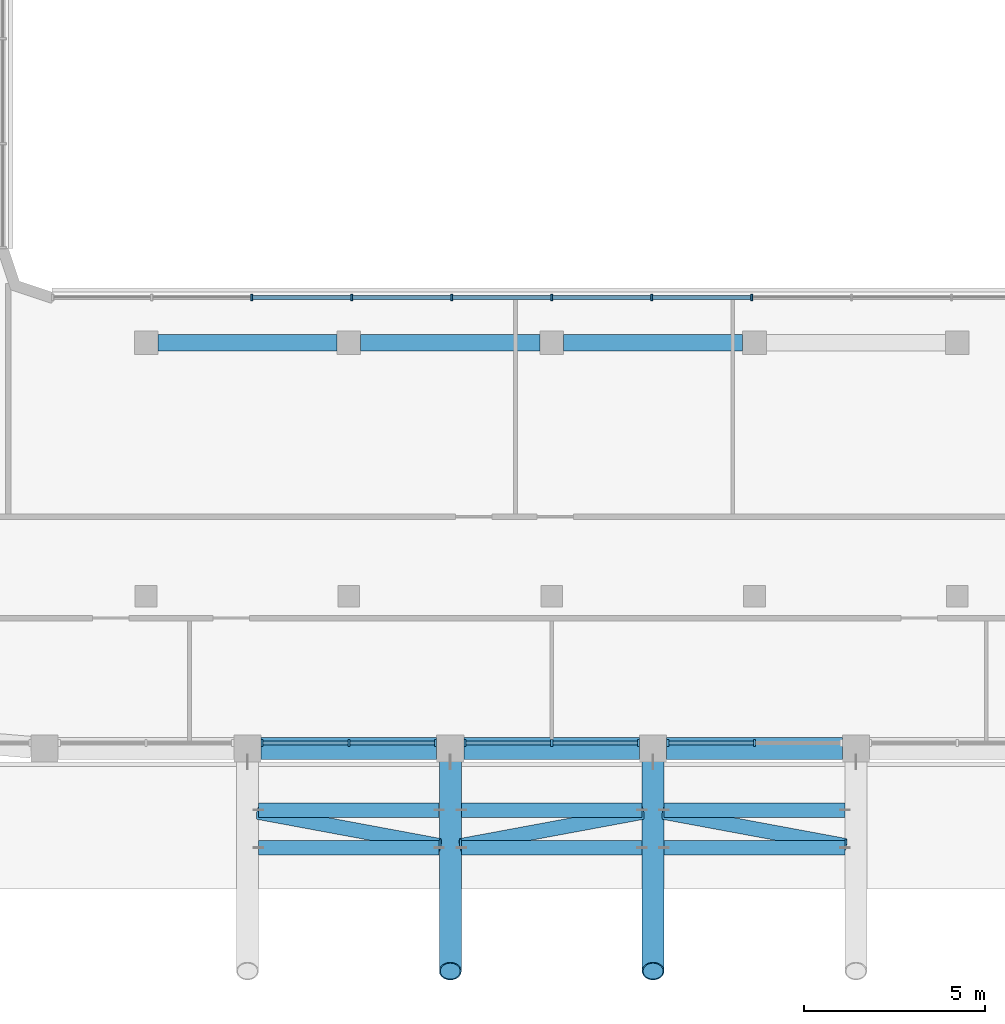
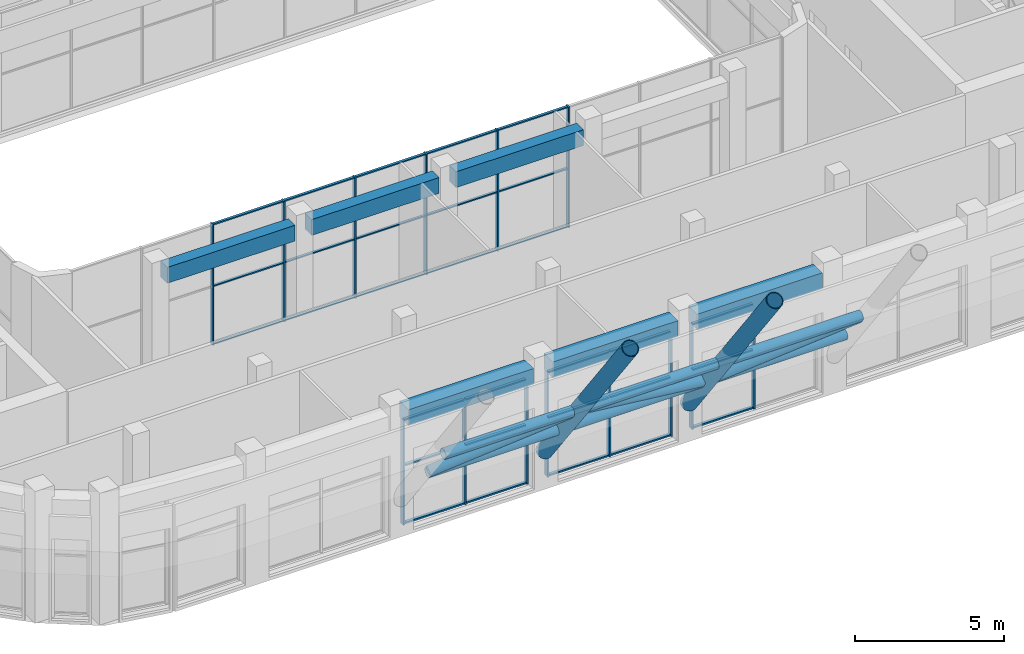
# One storey, part 3 of 24: 55 members, 6 beams, 4 elements without a shape of their own.
"""IFC4 building model written with IfcOpenShell, lengths in metres."""

from ifc_helpers import new_model, si_unit, direction, frame, origin, origin_2d, place, context, subcontext, project, spatial, rectangle, hollow_circle, extrude, material, layer, layer_set, material_profile, profile_set, type_object, element, aggregate, save


model = new_model("IFC4")

# Units and contexts
model_context = context("Model", 3, precision=1e-05, world=origin(), true_north=direction((0.0, 1.0)))
body_context = subcontext(model_context, "Body", "Model", "MODEL_VIEW")
ifc_project = project(units=[si_unit("LENGTHUNIT", "METRE"), si_unit("AREAUNIT", "SQUARE_METRE"), si_unit("VOLUMEUNIT", "CUBIC_METRE"), si_unit("PLANEANGLEUNIT", "RADIAN"), si_unit("MASSUNIT", "GRAM", prefix="KILO")], contexts=[model_context])

# Site, building, storey
site_placement = place(None, origin())
site = spatial("IfcSite", under=ifc_project, at=site_placement, CompositionType="ELEMENT")
building_placement = place(site_placement, origin())
building = spatial("IfcBuilding", under=site, at=building_placement, Name="Kiln Ring Residences", CompositionType="ELEMENT")
storey_placement = place(building_placement, frame((0.0, 0.0, 283.699951171875)))
storey = spatial("IfcBuildingStorey", under=building, at=storey_placement, Name="L74", CompositionType="ELEMENT", Elevation=283.699951171875)

# Curtain wall, members
ifc_material_1 = material(Name="Aluminium and glass", Category="aluminium")
ifc_layer_1 = layer(ifc_material_1, 0.199951171875)
ifc_layer_set_1 = layer_set([ifc_layer_1], Name="CW1 CURTAIN WALL")
curtain_wall_type_1 = type_object("IfcCurtainWallType", Name="CW1 CURTAIN WALL", PredefinedType="NOTDEFINED", material=ifc_layer_set_1)
placement = place(storey_placement, origin())
curtain_wall_1 = element("IfcCurtainWall", 1, at=placement, inside=storey, type_object=curtain_wall_type_1, Name="Curtain wall CW1 L74", PredefinedType="NOTDEFINED")
ifc_material_2 = material(Name="Aluminium 6063-T6", Category="aluminium")
ifc_material_profile_1 = material_profile(ifc_material_2, rectangle(XDim=0.199951171875, YDim=0.06005859375, at=origin_2d()), Name="AL 200x60")
ifc_profile_set_1 = profile_set([ifc_material_profile_1], Name="Aluminium 6063-T6")
member_type_1 = type_object("IfcMemberType", Name="CW1 MULLION 200 x 60", PredefinedType="MULLION", material=ifc_profile_set_1)
member_1_placement = place(storey_placement, frame((-7.9951171875, -19.449951171875, 0.0), z_axis=(0.0, 0.0, 1.0), x_axis=(0.0, 1.0, 0.0)))
member_1 = element("IfcMember", 2, at=member_1_placement, type_object=member_type_1, Name="CW1 mullion 1", PredefinedType="MULLION", context=body_context, shape_type="SweptSolid", body=[
    extrude(rectangle(XDim=0.199951171875, YDim=0.06005859375, at=origin_2d()), origin(), (0.0, 0.0, 1.0), 4.300048828125),
])
member_2_placement = place(storey_placement, frame((-5.60009765625, -19.449951171875, 0.0), z_axis=(0.0, 0.0, 1.0), x_axis=(0.0, 1.0, 0.0)))
member_2 = element("IfcMember", 3, at=member_2_placement, type_object=member_type_1, Name="CW1 mullion 2", PredefinedType="MULLION", context=body_context, shape_type="SweptSolid", body=[
    extrude(rectangle(XDim=0.199951171875, YDim=0.06005859375, at=origin_2d()), origin(), (0.0, 0.0, 1.0), 4.300048828125),
])
member_3_placement = place(storey_placement, frame((-3.205078125, -19.449951171875, 0.0), z_axis=(0.0, 0.0, 1.0), x_axis=(0.0, 1.0, 0.0)))
member_3 = element("IfcMember", 4, at=member_3_placement, type_object=member_type_1, Name="CW1 mullion 3", PredefinedType="MULLION", context=body_context, shape_type="SweptSolid", body=[
    extrude(rectangle(XDim=0.199951171875, YDim=0.06005859375, at=origin_2d()), origin(), (0.0, 0.0, 1.0), 4.300048828125),
])

curtain_wall_2 = element("IfcCurtainWall", 5, at=placement, inside=storey, type_object=curtain_wall_type_1, Name="Curtain wall CW1 L74", PredefinedType="NOTDEFINED")
member_4_placement = place(storey_placement, frame((-2.39501953125, -19.449951171875, 0.0), z_axis=(0.0, 0.0, 1.0), x_axis=(0.0, 1.0, 0.0)))
member_4 = element("IfcMember", 6, at=member_4_placement, type_object=member_type_1, Name="CW1 mullion 1", PredefinedType="MULLION", context=body_context, shape_type="SweptSolid", body=[
    extrude(rectangle(XDim=0.199951171875, YDim=0.06005859375, at=origin_2d()), origin(), (0.0, 0.0, 1.0), 4.300048828125),
])
member_5_placement = place(storey_placement, frame((0.0, -19.449951171875, 0.0), z_axis=(0.0, 0.0, 1.0), x_axis=(0.0, 1.0, 0.0)))
member_5 = element("IfcMember", 7, at=member_5_placement, type_object=member_type_1, Name="CW1 mullion 2", PredefinedType="MULLION", context=body_context, shape_type="SweptSolid", body=[
    extrude(rectangle(XDim=0.199951171875, YDim=0.06005859375, at=origin_2d()), origin(), (0.0, 0.0, 1.0), 4.300048828125),
])
member_6_placement = place(storey_placement, frame((2.39501953125, -19.449951171875, 0.0), z_axis=(0.0, 0.0, 1.0), x_axis=(0.0, 1.0, 0.0)))
member_6 = element("IfcMember", 8, at=member_6_placement, type_object=member_type_1, Name="CW1 mullion 3", PredefinedType="MULLION", context=body_context, shape_type="SweptSolid", body=[
    extrude(rectangle(XDim=0.199951171875, YDim=0.06005859375, at=origin_2d()), origin(), (0.0, 0.0, 1.0), 4.300048828125),
])

curtain_wall_3 = element("IfcCurtainWall", 9, at=placement, inside=storey, type_object=curtain_wall_type_1, Name="Curtain wall CW1 L74", PredefinedType="NOTDEFINED")
member_7_placement = place(storey_placement, frame((3.205078125, -19.449951171875, 0.0), z_axis=(0.0, 0.0, 1.0), x_axis=(0.0, 1.0, 0.0)))
member_7 = element("IfcMember", 10, at=member_7_placement, type_object=member_type_1, Name="CW1 mullion 1", PredefinedType="MULLION", context=body_context, shape_type="SweptSolid", body=[
    extrude(rectangle(XDim=0.199951171875, YDim=0.06005859375, at=origin_2d()), origin(), (0.0, 0.0, 1.0), 4.300048828125),
])
member_8_placement = place(storey_placement, frame((5.60009765625, -19.449951171875, 0.0), z_axis=(0.0, 0.0, 1.0), x_axis=(0.0, 1.0, 0.0)))
member_8 = element("IfcMember", 11, at=member_8_placement, type_object=member_type_1, Name="CW1 mullion 2", PredefinedType="MULLION", context=body_context, shape_type="SweptSolid", body=[
    extrude(rectangle(XDim=0.199951171875, YDim=0.06005859375, at=origin_2d()), origin(), (0.0, 0.0, 1.0), 4.300048828125),
])

# Member
ifc_material_3 = material(Name="Aluminium 6063-T6", Category="aluminium")
ifc_material_profile_2 = material_profile(ifc_material_3, rectangle(XDim=0.1201171875, YDim=0.06005859375, at=origin_2d()), Name="AL 120x60")
ifc_profile_set_2 = profile_set([ifc_material_profile_2], Name="Aluminium 6063-T6")
member_type_2 = type_object("IfcMemberType", Name="CW1 TRANSOM 120 x 60", PredefinedType="USERDEFINED", material=ifc_profile_set_2)
member_9_placement = place(storey_placement, frame((-7.965087890625, -19.449951171875, 0.030029296875), z_axis=(1.0, 0.0, 0.0), x_axis=(0.0, 1.0, 0.0)))
member_9 = element("IfcMember", 12, at=member_9_placement, type_object=member_type_2, Name="CW1 transom 1.1", ObjectType="TRANSOM", PredefinedType="USERDEFINED", context=body_context, shape_type="SweptSolid", body=[
    extrude(rectangle(XDim=0.1201171875, YDim=0.06005859375, at=origin_2d()), origin(), (0.0, 0.0, 1.0), 2.335205078125),
])

member_10_placement = place(storey_placement, frame((-7.965087890625, -19.449951171875, 2.400146484375), z_axis=(1.0, 0.0, 0.0), x_axis=(0.0, 1.0, 0.0)))
member_10 = element("IfcMember", 13, at=member_10_placement, type_object=member_type_2, Name="CW1 transom 1.2", ObjectType="TRANSOM", PredefinedType="USERDEFINED", context=body_context, shape_type="SweptSolid", body=[
    extrude(rectangle(XDim=0.1201171875, YDim=0.06005859375, at=origin_2d()), origin(), (0.0, 0.0, 1.0), 2.335205078125),
])

member_11_placement = place(storey_placement, frame((-7.965087890625, -19.449951171875, 4.27001953125), z_axis=(1.0, 0.0, 0.0), x_axis=(0.0, 1.0, 0.0)))
member_11 = element("IfcMember", 14, at=member_11_placement, type_object=member_type_2, Name="CW1 transom 1.3", ObjectType="TRANSOM", PredefinedType="USERDEFINED", context=body_context, shape_type="SweptSolid", body=[
    extrude(rectangle(XDim=0.1201171875, YDim=0.06005859375, at=origin_2d()), origin(), (0.0, 0.0, 1.0), 2.335205078125),
])

member_12_placement = place(storey_placement, frame((-5.570068359375, -19.449951171875, 0.030029296875), z_axis=(1.0, 0.0, 0.0), x_axis=(0.0, 1.0, 0.0)))
member_12 = element("IfcMember", 15, at=member_12_placement, type_object=member_type_2, Name="CW1 transom 2.1", ObjectType="TRANSOM", PredefinedType="USERDEFINED", context=body_context, shape_type="SweptSolid", body=[
    extrude(rectangle(XDim=0.1201171875, YDim=0.06005859375, at=origin_2d()), origin(), (0.0, 0.0, 1.0), 2.3349609375),
])

member_13_placement = place(storey_placement, frame((-5.570068359375, -19.449951171875, 2.400146484375), z_axis=(1.0, 0.0, 0.0), x_axis=(0.0, 1.0, 0.0)))
member_13 = element("IfcMember", 16, at=member_13_placement, type_object=member_type_2, Name="CW1 transom 2.2", ObjectType="TRANSOM", PredefinedType="USERDEFINED", context=body_context, shape_type="SweptSolid", body=[
    extrude(rectangle(XDim=0.1201171875, YDim=0.06005859375, at=origin_2d()), origin(), (0.0, 0.0, 1.0), 2.3349609375),
])

member_14_placement = place(storey_placement, frame((-5.570068359375, -19.449951171875, 4.27001953125), z_axis=(1.0, 0.0, 0.0), x_axis=(0.0, 1.0, 0.0)))
member_14 = element("IfcMember", 17, at=member_14_placement, type_object=member_type_2, Name="CW1 transom 2.3", ObjectType="TRANSOM", PredefinedType="USERDEFINED", context=body_context, shape_type="SweptSolid", body=[
    extrude(rectangle(XDim=0.1201171875, YDim=0.06005859375, at=origin_2d()), origin(), (0.0, 0.0, 1.0), 2.3349609375),
])

aggregate(curtain_wall_1, [member_1, member_2, member_3, member_9, member_10, member_11, member_12, member_13, member_14])

member_15_placement = place(storey_placement, frame((-2.364990234375, -19.449951171875, 0.030029296875), z_axis=(1.0, 0.0, 0.0), x_axis=(0.0, 1.0, 0.0)))
member_15 = element("IfcMember", 18, at=member_15_placement, type_object=member_type_2, Name="CW1 transom 1.1", ObjectType="TRANSOM", PredefinedType="USERDEFINED", context=body_context, shape_type="SweptSolid", body=[
    extrude(rectangle(XDim=0.1201171875, YDim=0.06005859375, at=origin_2d()), origin(), (0.0, 0.0, 1.0), 2.3349609375),
])

member_16_placement = place(storey_placement, frame((-2.364990234375, -19.449951171875, 2.400146484375), z_axis=(1.0, 0.0, 0.0), x_axis=(0.0, 1.0, 0.0)))
member_16 = element("IfcMember", 19, at=member_16_placement, type_object=member_type_2, Name="CW1 transom 1.2", ObjectType="TRANSOM", PredefinedType="USERDEFINED", context=body_context, shape_type="SweptSolid", body=[
    extrude(rectangle(XDim=0.1201171875, YDim=0.06005859375, at=origin_2d()), origin(), (0.0, 0.0, 1.0), 2.3349609375),
])

member_17_placement = place(storey_placement, frame((-2.364990234375, -19.449951171875, 4.27001953125), z_axis=(1.0, 0.0, 0.0), x_axis=(0.0, 1.0, 0.0)))
member_17 = element("IfcMember", 20, at=member_17_placement, type_object=member_type_2, Name="CW1 transom 1.3", ObjectType="TRANSOM", PredefinedType="USERDEFINED", context=body_context, shape_type="SweptSolid", body=[
    extrude(rectangle(XDim=0.1201171875, YDim=0.06005859375, at=origin_2d()), origin(), (0.0, 0.0, 1.0), 2.3349609375),
])

member_18_placement = place(storey_placement, frame((0.030029296875, -19.449951171875, 0.030029296875), z_axis=(1.0, 0.0, 0.0), x_axis=(0.0, 1.0, 0.0)))
member_18 = element("IfcMember", 21, at=member_18_placement, type_object=member_type_2, Name="CW1 transom 2.1", ObjectType="TRANSOM", PredefinedType="USERDEFINED", context=body_context, shape_type="SweptSolid", body=[
    extrude(rectangle(XDim=0.1201171875, YDim=0.06005859375, at=origin_2d()), origin(), (0.0, 0.0, 1.0), 2.3349609375),
])

member_19_placement = place(storey_placement, frame((0.030029296875, -19.449951171875, 2.400146484375), z_axis=(1.0, 0.0, 0.0), x_axis=(0.0, 1.0, 0.0)))
member_19 = element("IfcMember", 22, at=member_19_placement, type_object=member_type_2, Name="CW1 transom 2.2", ObjectType="TRANSOM", PredefinedType="USERDEFINED", context=body_context, shape_type="SweptSolid", body=[
    extrude(rectangle(XDim=0.1201171875, YDim=0.06005859375, at=origin_2d()), origin(), (0.0, 0.0, 1.0), 2.3349609375),
])

member_20_placement = place(storey_placement, frame((0.030029296875, -19.449951171875, 4.27001953125), z_axis=(1.0, 0.0, 0.0), x_axis=(0.0, 1.0, 0.0)))
member_20 = element("IfcMember", 23, at=member_20_placement, type_object=member_type_2, Name="CW1 transom 2.3", ObjectType="TRANSOM", PredefinedType="USERDEFINED", context=body_context, shape_type="SweptSolid", body=[
    extrude(rectangle(XDim=0.1201171875, YDim=0.06005859375, at=origin_2d()), origin(), (0.0, 0.0, 1.0), 2.3349609375),
])

aggregate(curtain_wall_2, [member_4, member_5, member_6, member_15, member_16, member_17, member_18, member_19, member_20])

member_21_placement = place(storey_placement, frame((3.235107421875, -19.449951171875, 0.030029296875), z_axis=(1.0, 0.0, 0.0), x_axis=(0.0, 1.0, 0.0)))
member_21 = element("IfcMember", 24, at=member_21_placement, type_object=member_type_2, Name="CW1 transom 1.1", ObjectType="TRANSOM", PredefinedType="USERDEFINED", context=body_context, shape_type="SweptSolid", body=[
    extrude(rectangle(XDim=0.1201171875, YDim=0.06005859375, at=origin_2d()), origin(), (0.0, 0.0, 1.0), 2.3349609375),
])

member_22_placement = place(storey_placement, frame((3.235107421875, -19.449951171875, 2.400146484375), z_axis=(1.0, 0.0, 0.0), x_axis=(0.0, 1.0, 0.0)))
member_22 = element("IfcMember", 25, at=member_22_placement, type_object=member_type_2, Name="CW1 transom 1.2", ObjectType="TRANSOM", PredefinedType="USERDEFINED", context=body_context, shape_type="SweptSolid", body=[
    extrude(rectangle(XDim=0.1201171875, YDim=0.06005859375, at=origin_2d()), origin(), (0.0, 0.0, 1.0), 2.3349609375),
])

member_23_placement = place(storey_placement, frame((3.235107421875, -19.449951171875, 4.27001953125), z_axis=(1.0, 0.0, 0.0), x_axis=(0.0, 1.0, 0.0)))
member_23 = element("IfcMember", 26, at=member_23_placement, type_object=member_type_2, Name="CW1 transom 1.3", ObjectType="TRANSOM", PredefinedType="USERDEFINED", context=body_context, shape_type="SweptSolid", body=[
    extrude(rectangle(XDim=0.1201171875, YDim=0.06005859375, at=origin_2d()), origin(), (0.0, 0.0, 1.0), 2.3349609375),
])

aggregate(curtain_wall_3, [member_7, member_8, member_21, member_22, member_23])

# Curtain wall, members
ifc_material_4 = material(Name="Aluminium and glass", Category="aluminium")
ifc_layer_2 = layer(ifc_material_4, 0.179931640625)
ifc_layer_set_2 = layer_set([ifc_layer_2], Name="CW3 CURTAIN WALL")
curtain_wall_type_2 = type_object("IfcCurtainWallType", Name="CW3 CURTAIN WALL", PredefinedType="NOTDEFINED", material=ifc_layer_set_2)
curtain_wall_4 = element("IfcCurtainWall", 27, at=placement, inside=storey, type_object=curtain_wall_type_2, Name="Curtain wall CW3 L74", PredefinedType="NOTDEFINED")
ifc_material_5 = material(Name="Aluminium 6063-T6", Category="aluminium")
ifc_material_profile_3 = material_profile(ifc_material_5, rectangle(XDim=0.179931640625, YDim=0.050048828125, at=origin_2d()), Name="AL 180x50")
ifc_profile_set_3 = profile_set([ifc_material_profile_3], Name="Aluminium 6063-T6")
member_type_3 = type_object("IfcMemberType", Name="CW3 MULLION 180 x 50", PredefinedType="MULLION", material=ifc_profile_set_3)
member_24_placement = place(storey_placement, frame((5.52001953125, -7.14990234375, 0.0), z_axis=(0.0, 0.0, 1.0), x_axis=(0.0, -1.0, 0.0)))
member_24 = element("IfcMember", 28, at=member_24_placement, type_object=member_type_3, Name="CW3 mullion 4", PredefinedType="MULLION", context=body_context, shape_type="SweptSolid", body=[
    extrude(rectangle(XDim=0.179931640625, YDim=0.050048828125, at=origin_2d()), origin(), (0.0, 0.0, 1.0), 4.949951171875),
])
member_25_placement = place(storey_placement, frame((2.760009765625, -7.14990234375, 0.0), z_axis=(0.0, 0.0, 1.0), x_axis=(0.0, -1.0, 0.0)))
member_25 = element("IfcMember", 29, at=member_25_placement, type_object=member_type_3, Name="CW3 mullion 5", PredefinedType="MULLION", context=body_context, shape_type="SweptSolid", body=[
    extrude(rectangle(XDim=0.179931640625, YDim=0.050048828125, at=origin_2d()), origin(), (0.0, 0.0, 1.0), 4.949951171875),
])
member_26_placement = place(storey_placement, frame((0.0, -7.14990234375, 0.0), z_axis=(0.0, 0.0, 1.0), x_axis=(0.0, -1.0, 0.0)))
member_26 = element("IfcMember", 30, at=member_26_placement, type_object=member_type_3, Name="CW3 mullion 6", PredefinedType="MULLION", context=body_context, shape_type="SweptSolid", body=[
    extrude(rectangle(XDim=0.179931640625, YDim=0.050048828125, at=origin_2d()), origin(), (0.0, 0.0, 1.0), 4.949951171875),
])
member_27_placement = place(storey_placement, frame((-2.760009765625, -7.14990234375, 0.0), z_axis=(0.0, 0.0, 1.0), x_axis=(0.0, -1.0, 0.0)))
member_27 = element("IfcMember", 31, at=member_27_placement, type_object=member_type_3, Name="CW3 mullion 7", PredefinedType="MULLION", context=body_context, shape_type="SweptSolid", body=[
    extrude(rectangle(XDim=0.179931640625, YDim=0.050048828125, at=origin_2d()), origin(), (0.0, 0.0, 1.0), 4.949951171875),
])
member_28_placement = place(storey_placement, frame((-5.52001953125, -7.14990234375, 0.0), z_axis=(0.0, 0.0, 1.0), x_axis=(0.0, -1.0, 0.0)))
member_28 = element("IfcMember", 32, at=member_28_placement, type_object=member_type_3, Name="CW3 mullion 8", PredefinedType="MULLION", context=body_context, shape_type="SweptSolid", body=[
    extrude(rectangle(XDim=0.179931640625, YDim=0.050048828125, at=origin_2d()), origin(), (0.0, 0.0, 1.0), 4.949951171875),
])
member_29_placement = place(storey_placement, frame((-8.280029296875, -7.14990234375, 0.0), z_axis=(0.0, 0.0, 1.0), x_axis=(0.0, -1.0, 0.0)))
member_29 = element("IfcMember", 33, at=member_29_placement, type_object=member_type_3, Name="CW3 mullion 9", PredefinedType="MULLION", context=body_context, shape_type="SweptSolid", body=[
    extrude(rectangle(XDim=0.179931640625, YDim=0.050048828125, at=origin_2d()), origin(), (0.0, 0.0, 1.0), 4.949951171875),
])
ifc_material_6 = material(Name="Aluminium 6063-T6", Category="aluminium")
ifc_material_profile_4 = material_profile(ifc_material_6, rectangle(XDim=0.10009765625, YDim=0.050048828125, at=origin_2d()), Name="AL 100x50")
ifc_profile_set_4 = profile_set([ifc_material_profile_4], Name="Aluminium 6063-T6")
member_type_4 = type_object("IfcMemberType", Name="CW3 TRANSOM 100 x 50", PredefinedType="USERDEFINED", material=ifc_profile_set_4)
member_30_placement = place(storey_placement, frame((5.4951171875, -7.14990234375, 0.025146484375), z_axis=(-1.0, 0.0, 0.0), x_axis=(0.0, -1.0, 0.0)))
member_30 = element("IfcMember", 34, at=member_30_placement, type_object=member_type_4, Name="CW3 transom 4.1", ObjectType="TRANSOM", PredefinedType="USERDEFINED", context=body_context, shape_type="SweptSolid", body=[
    extrude(rectangle(XDim=0.10009765625, YDim=0.050048828125, at=origin_2d()), origin(), (0.0, 0.0, 1.0), 2.710205078125),
])
member_31_placement = place(storey_placement, frame((5.4951171875, -7.14990234375, 2.400146484375), z_axis=(-1.0, 0.0, 0.0), x_axis=(0.0, -1.0, 0.0)))
member_31 = element("IfcMember", 35, at=member_31_placement, type_object=member_type_4, Name="CW3 transom 4.2", ObjectType="TRANSOM", PredefinedType="USERDEFINED", context=body_context, shape_type="SweptSolid", body=[
    extrude(rectangle(XDim=0.10009765625, YDim=0.050048828125, at=origin_2d()), origin(), (0.0, 0.0, 1.0), 2.710205078125),
])
member_32_placement = place(storey_placement, frame((5.4951171875, -7.14990234375, 4.925048828125), z_axis=(-1.0, 0.0, 0.0), x_axis=(0.0, -1.0, 0.0)))
member_32 = element("IfcMember", 36, at=member_32_placement, type_object=member_type_4, Name="CW3 transom 4.3", ObjectType="TRANSOM", PredefinedType="USERDEFINED", context=body_context, shape_type="SweptSolid", body=[
    extrude(rectangle(XDim=0.10009765625, YDim=0.050048828125, at=origin_2d()), origin(), (0.0, 0.0, 1.0), 2.710205078125),
])
member_33_placement = place(storey_placement, frame((2.735107421875, -7.14990234375, 0.025146484375), z_axis=(-1.0, 0.0, 0.0), x_axis=(0.0, -1.0, 0.0)))
member_33 = element("IfcMember", 37, at=member_33_placement, type_object=member_type_4, Name="CW3 transom 5.1", ObjectType="TRANSOM", PredefinedType="USERDEFINED", context=body_context, shape_type="SweptSolid", body=[
    extrude(rectangle(XDim=0.10009765625, YDim=0.050048828125, at=origin_2d()), origin(), (0.0, 0.0, 1.0), 2.710205078125),
])
member_34_placement = place(storey_placement, frame((2.735107421875, -7.14990234375, 2.400146484375), z_axis=(-1.0, 0.0, 0.0), x_axis=(0.0, -1.0, 0.0)))
member_34 = element("IfcMember", 38, at=member_34_placement, type_object=member_type_4, Name="CW3 transom 5.2", ObjectType="TRANSOM", PredefinedType="USERDEFINED", context=body_context, shape_type="SweptSolid", body=[
    extrude(rectangle(XDim=0.10009765625, YDim=0.050048828125, at=origin_2d()), origin(), (0.0, 0.0, 1.0), 2.710205078125),
])
member_35_placement = place(storey_placement, frame((2.735107421875, -7.14990234375, 4.925048828125), z_axis=(-1.0, 0.0, 0.0), x_axis=(0.0, -1.0, 0.0)))
member_35 = element("IfcMember", 39, at=member_35_placement, type_object=member_type_4, Name="CW3 transom 5.3", ObjectType="TRANSOM", PredefinedType="USERDEFINED", context=body_context, shape_type="SweptSolid", body=[
    extrude(rectangle(XDim=0.10009765625, YDim=0.050048828125, at=origin_2d()), origin(), (0.0, 0.0, 1.0), 2.710205078125),
])
member_36_placement = place(storey_placement, frame((-0.02490234375, -7.14990234375, 0.025146484375), z_axis=(-1.0, 0.0, 0.0), x_axis=(0.0, -1.0, 0.0)))
member_36 = element("IfcMember", 40, at=member_36_placement, type_object=member_type_4, Name="CW3 transom 6.1", ObjectType="TRANSOM", PredefinedType="USERDEFINED", context=body_context, shape_type="SweptSolid", body=[
    extrude(rectangle(XDim=0.10009765625, YDim=0.050048828125, at=origin_2d()), origin(), (0.0, 0.0, 1.0), 2.710205078125),
])
member_37_placement = place(storey_placement, frame((-0.02490234375, -7.14990234375, 2.400146484375), z_axis=(-1.0, 0.0, 0.0), x_axis=(0.0, -1.0, 0.0)))
member_37 = element("IfcMember", 41, at=member_37_placement, type_object=member_type_4, Name="CW3 transom 6.2", ObjectType="TRANSOM", PredefinedType="USERDEFINED", context=body_context, shape_type="SweptSolid", body=[
    extrude(rectangle(XDim=0.10009765625, YDim=0.050048828125, at=origin_2d()), origin(), (0.0, 0.0, 1.0), 2.710205078125),
])
member_38_placement = place(storey_placement, frame((-0.02490234375, -7.14990234375, 4.925048828125), z_axis=(-1.0, 0.0, 0.0), x_axis=(0.0, -1.0, 0.0)))
member_38 = element("IfcMember", 42, at=member_38_placement, type_object=member_type_4, Name="CW3 transom 6.3", ObjectType="TRANSOM", PredefinedType="USERDEFINED", context=body_context, shape_type="SweptSolid", body=[
    extrude(rectangle(XDim=0.10009765625, YDim=0.050048828125, at=origin_2d()), origin(), (0.0, 0.0, 1.0), 2.710205078125),
])
member_39_placement = place(storey_placement, frame((-2.784912109375, -7.14990234375, 0.025146484375), z_axis=(-1.0, 0.0, 0.0), x_axis=(0.0, -1.0, 0.0)))
member_39 = element("IfcMember", 43, at=member_39_placement, type_object=member_type_4, Name="CW3 transom 7.1", ObjectType="TRANSOM", PredefinedType="USERDEFINED", context=body_context, shape_type="SweptSolid", body=[
    extrude(rectangle(XDim=0.10009765625, YDim=0.050048828125, at=origin_2d()), origin(), (0.0, 0.0, 1.0), 2.710205078125),
])
member_40_placement = place(storey_placement, frame((-2.784912109375, -7.14990234375, 2.400146484375), z_axis=(-1.0, 0.0, 0.0), x_axis=(0.0, -1.0, 0.0)))
member_40 = element("IfcMember", 44, at=member_40_placement, type_object=member_type_4, Name="CW3 transom 7.2", ObjectType="TRANSOM", PredefinedType="USERDEFINED", context=body_context, shape_type="SweptSolid", body=[
    extrude(rectangle(XDim=0.10009765625, YDim=0.050048828125, at=origin_2d()), origin(), (0.0, 0.0, 1.0), 2.710205078125),
])
member_41_placement = place(storey_placement, frame((-2.784912109375, -7.14990234375, 4.925048828125), z_axis=(-1.0, 0.0, 0.0), x_axis=(0.0, -1.0, 0.0)))
member_41 = element("IfcMember", 45, at=member_41_placement, type_object=member_type_4, Name="CW3 transom 7.3", ObjectType="TRANSOM", PredefinedType="USERDEFINED", context=body_context, shape_type="SweptSolid", body=[
    extrude(rectangle(XDim=0.10009765625, YDim=0.050048828125, at=origin_2d()), origin(), (0.0, 0.0, 1.0), 2.710205078125),
])
member_42_placement = place(storey_placement, frame((-5.544921875, -7.14990234375, 0.025146484375), z_axis=(-1.0, 0.0, 0.0), x_axis=(0.0, -1.0, 0.0)))
member_42 = element("IfcMember", 46, at=member_42_placement, type_object=member_type_4, Name="CW3 transom 8.1", ObjectType="TRANSOM", PredefinedType="USERDEFINED", context=body_context, shape_type="SweptSolid", body=[
    extrude(rectangle(XDim=0.10009765625, YDim=0.050048828125, at=origin_2d()), origin(), (0.0, 0.0, 1.0), 2.7099609375),
])
member_43_placement = place(storey_placement, frame((-5.544921875, -7.14990234375, 2.400146484375), z_axis=(-1.0, 0.0, 0.0), x_axis=(0.0, -1.0, 0.0)))
member_43 = element("IfcMember", 47, at=member_43_placement, type_object=member_type_4, Name="CW3 transom 8.2", ObjectType="TRANSOM", PredefinedType="USERDEFINED", context=body_context, shape_type="SweptSolid", body=[
    extrude(rectangle(XDim=0.10009765625, YDim=0.050048828125, at=origin_2d()), origin(), (0.0, 0.0, 1.0), 2.7099609375),
])
member_44_placement = place(storey_placement, frame((-5.544921875, -7.14990234375, 4.925048828125), z_axis=(-1.0, 0.0, 0.0), x_axis=(0.0, -1.0, 0.0)))
member_44 = element("IfcMember", 48, at=member_44_placement, type_object=member_type_4, Name="CW3 transom 8.3", ObjectType="TRANSOM", PredefinedType="USERDEFINED", context=body_context, shape_type="SweptSolid", body=[
    extrude(rectangle(XDim=0.10009765625, YDim=0.050048828125, at=origin_2d()), origin(), (0.0, 0.0, 1.0), 2.7099609375),
])
aggregate(curtain_wall_4, [member_24, member_25, member_26, member_27, member_28, member_29, member_30, member_31, member_32, member_33, member_34, member_35, member_36, member_37, member_38, member_39, member_40, member_41, member_42, member_43, member_44])

# Members
ifc_material_7 = material(Name="Steel S460", Category="steel")
ifc_material_profile_5 = material_profile(ifc_material_7, hollow_circle(Radius=0.203125, WallThickness=0.01611328125, at=origin_2d()), Name="CHS406.4x16")
ifc_profile_set_5 = profile_set([ifc_material_profile_5], Name="Steel S460")
member_type_5 = type_object("IfcMemberType", Name="Pool brace tie CHS406.4x16 S460", PredefinedType="BRACE", material=ifc_profile_set_5)
for number, where, z_axis, x_axis, name in (
    (49, (-8.094970703125, -21.30322265625, 3.27099609375), (1.0, 0.0, 0.0), (0.0, 1.0, 0.0), "Pool brace tie L74 1"),
    (50, (-8.094970703125, -22.3427734375, 4.656982421875), (1.0, 0.0, 0.0), (0.0, 1.0, 0.0), "Pool brace tie L74 2"),
):
    element("IfcMember", number, at=place(storey_placement, frame(where, z_axis=z_axis, x_axis=x_axis)), inside=storey, type_object=member_type_5, Name=name, PredefinedType="BRACE", context=body_context, shape_type="SweptSolid", body=[
        extrude(hollow_circle(Radius=0.203125, WallThickness=0.01611328125, at=origin_2d()), origin(), (0.0, 0.0, 1.0), 4.989990234375),
    ])
member_45_placement = place(storey_placement, frame((-8.094970703125, -21.35986328125, 3.346435546875), z_axis=(0.95532228416, -0.177332195611, 0.236458507538), x_axis=(0.182507827912, 0.983204400291, 0.0)))
element("IfcMember", 51, at=member_45_placement, inside=storey, type_object=member_type_5, Name="Pool brace tie L74 3", PredefinedType="BRACE", context=body_context, shape_type="SweptSolid", body=[
    extrude(hollow_circle(Radius=0.203125, WallThickness=0.01611328125, at=origin_2d()), origin(), (0.0, 0.0, 1.0), 5.223388671875),
])
for number, where, z_axis, x_axis, name in (
    (52, (-2.4951171875, -21.30322265625, 3.27099609375), (1.0, 0.0, 0.0), (0.0, 1.0, 0.0), "Pool brace tie L74 4"),
    (53, (-2.4951171875, -22.3427734375, 4.656982421875), (1.0, 0.0, 0.0), (0.0, 1.0, 0.0), "Pool brace tie L74 5"),
):
    element("IfcMember", number, at=place(storey_placement, frame(where, z_axis=z_axis, x_axis=x_axis)), inside=storey, type_object=member_type_5, Name=name, PredefinedType="BRACE", context=body_context, shape_type="SweptSolid", body=[
        extrude(hollow_circle(Radius=0.203125, WallThickness=0.01611328125, at=origin_2d()), origin(), (0.0, 0.0, 1.0), 4.990234375),
    ])
member_46_placement = place(storey_placement, frame((-2.4951171875, -22.2861328125, 4.58154296875), z_axis=(0.955326367076, 0.177324277724, -0.236447949659), x_axis=(-0.182499196352, 0.983206002489, 0.0)))
element("IfcMember", 54, at=member_46_placement, inside=storey, type_object=member_type_5, Name="Pool brace tie L74 6", PredefinedType="BRACE", context=body_context, shape_type="SweptSolid", body=[
    extrude(hollow_circle(Radius=0.203125, WallThickness=0.01611328125, at=origin_2d()), origin(), (0.0, 0.0, 1.0), 5.2236328125),
])
for number, where, z_axis, x_axis, name in (
    (55, (3.10498046875, -21.30322265625, 3.27099609375), (1.0, 0.0, 0.0), (0.0, 1.0, 0.0), "Pool brace tie L74 7"),
    (56, (3.10498046875, -22.3427734375, 4.656982421875), (1.0, 0.0, 0.0), (0.0, 1.0, 0.0), "Pool brace tie L74 8"),
):
    element("IfcMember", number, at=place(storey_placement, frame(where, z_axis=z_axis, x_axis=x_axis)), inside=storey, type_object=member_type_5, Name=name, PredefinedType="BRACE", context=body_context, shape_type="SweptSolid", body=[
        extrude(hollow_circle(Radius=0.203125, WallThickness=0.01611328125, at=origin_2d()), origin(), (0.0, 0.0, 1.0), 4.989990234375),
    ])
member_47_placement = place(storey_placement, frame((3.10498046875, -21.35986328125, 3.346435546875), z_axis=(0.95532228416, -0.177332195611, 0.236458507538), x_axis=(0.182507827912, 0.983204400291, 0.0)))
element("IfcMember", 57, at=member_47_placement, inside=storey, type_object=member_type_5, Name="Pool brace tie L74 9", PredefinedType="BRACE", context=body_context, shape_type="SweptSolid", body=[
    extrude(hollow_circle(Radius=0.203125, WallThickness=0.01611328125, at=origin_2d()), origin(), (0.0, 0.0, 1.0), 5.223388671875),
])
ifc_material_8 = material(Name="Steel S460", Category="steel")
ifc_material_profile_6 = material_profile(ifc_material_8, hollow_circle(Radius=0.304931640625, WallThickness=0.030029296875, at=origin_2d()), Name="CHS610x30")
ifc_profile_set_6 = profile_set([ifc_material_profile_6], Name="Steel S460")
member_type_6 = type_object("IfcMemberType", Name="Pool knee brace CHS610x30 S460", PredefinedType="BRACE", material=ifc_profile_set_6)
for number, where, z_axis, x_axis, name in (
    (58, (-2.800048828125, -19.97509765625, 1.5), (0.0, -0.59999594151, 0.800003043852), (1.0, 0.0, 0.0), "Pool knee brace L74 2"),
    (59, (2.800048828125, -19.97509765625, 1.5), (0.0, -0.59999594151, 0.800003043852), (1.0, 0.0, 0.0), "Pool knee brace L74 3"),
):
    element("IfcMember", number, at=place(storey_placement, frame(where, z_axis=z_axis, x_axis=x_axis)), inside=storey, type_object=member_type_6, Name=name, PredefinedType="BRACE", context=body_context, shape_type="SweptSolid", body=[
        extrude(hollow_circle(Radius=0.304931640625, WallThickness=0.030029296875, at=origin_2d()), origin(), (0.0, 0.0, 1.0), 9.625),
    ])

# Beams
ifc_material_9 = material(Name="Concrete C50/60", Category="concrete")
ifc_material_profile_7 = material_profile(ifc_material_9, rectangle(XDim=0.449951171875, YDim=0.64990234375, at=origin_2d()), Name="RC450x650")
ifc_profile_set_7 = profile_set([ifc_material_profile_7], Name="Concrete C50/60")
beam_type_1 = type_object("IfcBeamType", Name="Ring beam RC450x650 C50/60", PredefinedType="BEAM", material=ifc_profile_set_7)
for number, where, z_axis, x_axis, name in (
    (60, (-10.875, -8.39990234375, 4.625), (1.0, 0.0, 0.0), (0.0, 1.0, 0.0), "Ring beam L74 1"),
    (61, (-5.27490234375, -8.39990234375, 4.625), (1.0, 0.0, 0.0), (0.0, 1.0, 0.0), "Ring beam L74 2"),
    (62, (0.324951171875, -8.39990234375, 4.625), (1.0, 0.0, 0.0), (0.0, 1.0, 0.0), "Ring beam L74 3"),
):
    element("IfcBeam", number, at=place(storey_placement, frame(where, z_axis=z_axis, x_axis=x_axis)), inside=storey, type_object=beam_type_1, Name=name, PredefinedType="BEAM", context=body_context, shape_type="SweptSolid", body=[
        extrude(rectangle(XDim=0.449951171875, YDim=0.64990234375, at=origin_2d()), origin(), (0.0, 0.0, 1.0), 4.949951171875),
    ])
ifc_material_10 = material(Name="Concrete C50/60", Category="concrete")
ifc_material_profile_8 = material_profile(ifc_material_10, rectangle(XDim=0.60009765625, YDim=0.64990234375, at=origin_2d()), Name="RC600x650")
ifc_profile_set_8 = profile_set([ifc_material_profile_8], Name="Concrete C50/60")
beam_type_2 = type_object("IfcBeamType", Name="Spandrel beam RC600x650 C50/60", PredefinedType="SPANDREL", material=ifc_profile_set_8)
beam_1_placement = place(storey_placement, frame((-8.02490234375, -19.60009765625, 4.625), z_axis=(1.0, 0.0, 0.0), x_axis=(0.0, 1.0, 0.0)))
element("IfcBeam", 63, at=beam_1_placement, inside=storey, type_object=beam_type_2, Name="Spandrel beam L74 3", PredefinedType="SPANDREL", context=body_context, shape_type="SweptSolid", body=[
    extrude(rectangle(XDim=0.60009765625, YDim=0.64990234375, at=origin_2d()), origin(), (0.0, 0.0, 1.0), 4.849853515625),
])
beam_2_placement = place(storey_placement, frame((-2.425048828125, -19.60009765625, 4.625), z_axis=(1.0, 0.0, 0.0), x_axis=(0.0, 1.0, 0.0)))
element("IfcBeam", 64, at=beam_2_placement, inside=storey, type_object=beam_type_2, Name="Spandrel beam L74 4", PredefinedType="SPANDREL", context=body_context, shape_type="SweptSolid", body=[
    extrude(rectangle(XDim=0.60009765625, YDim=0.64990234375, at=origin_2d()), origin(), (0.0, 0.0, 1.0), 4.85009765625),
])
beam_3_placement = place(storey_placement, frame((3.175048828125, -19.60009765625, 4.625), z_axis=(1.0, 0.0, 0.0), x_axis=(0.0, 1.0, 0.0)))
element("IfcBeam", 65, at=beam_3_placement, inside=storey, type_object=beam_type_2, Name="Spandrel beam L74 5", PredefinedType="SPANDREL", context=body_context, shape_type="SweptSolid", body=[
    extrude(rectangle(XDim=0.60009765625, YDim=0.64990234375, at=origin_2d()), origin(), (0.0, 0.0, 1.0), 4.849853515625),
])

save(model, "model.ifc")
